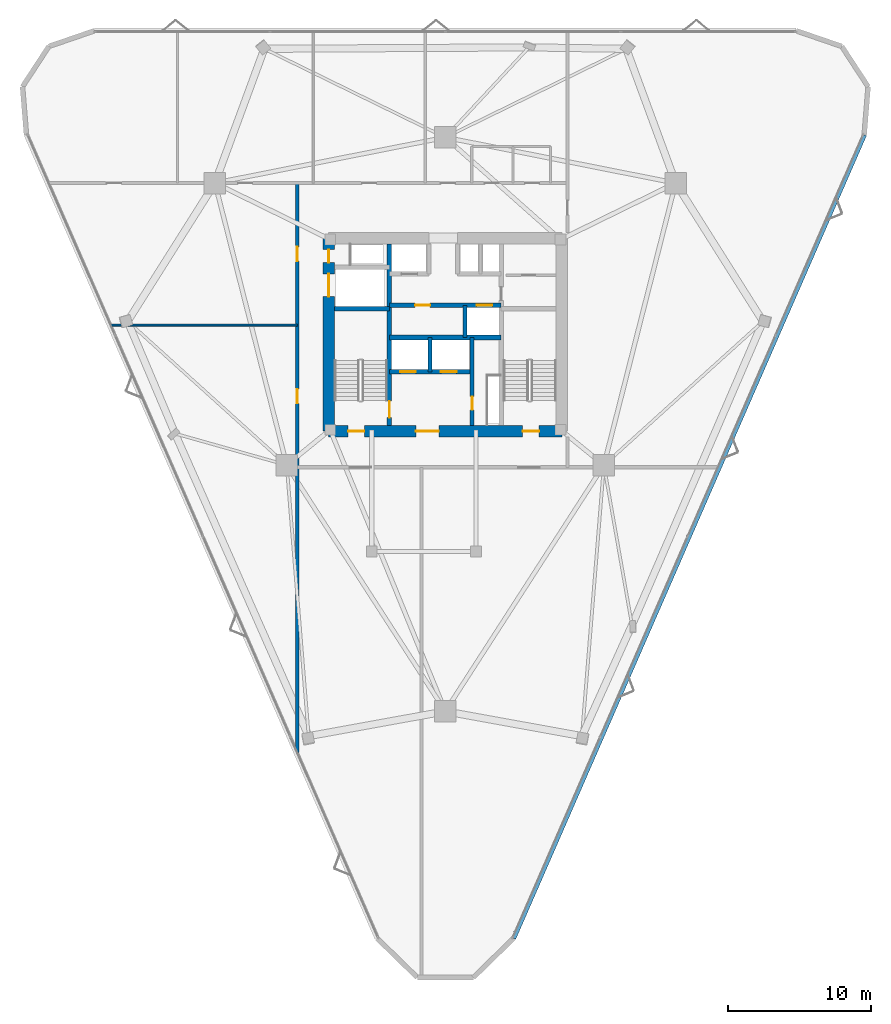
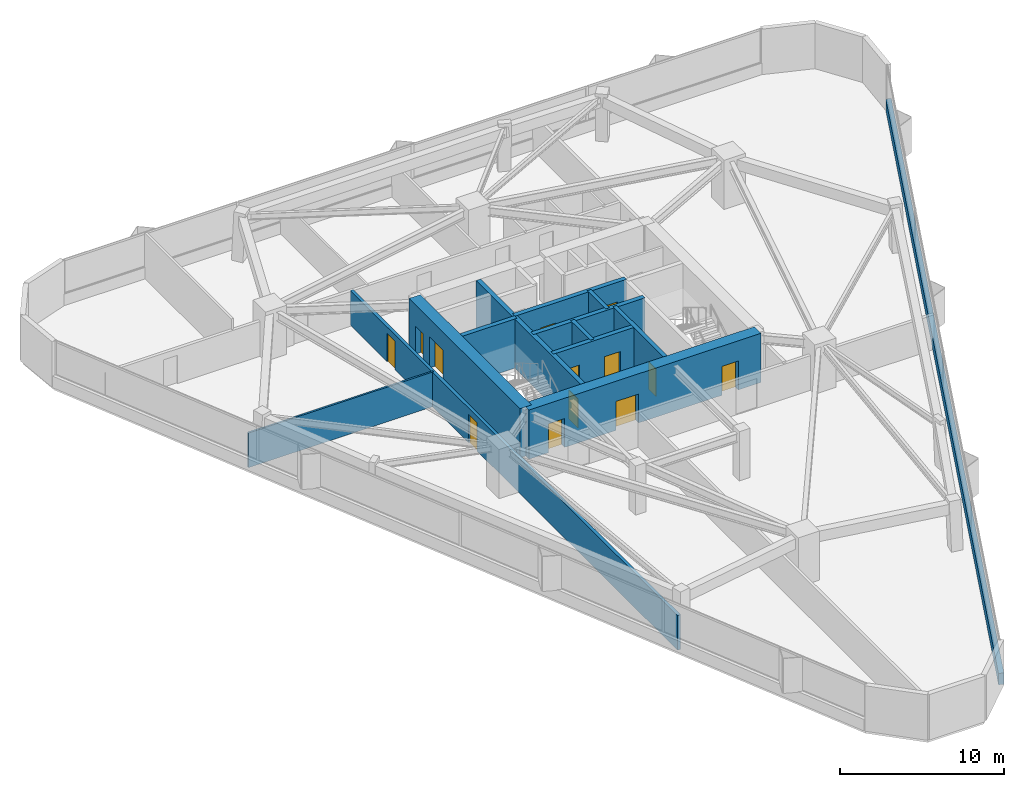
# One storey, part 12 of 15: 13 doors, 13 walls, 13 openings.
"""IFC4 building model written with IfcOpenShell, lengths in metres."""

from ifc_helpers import new_model, si_unit, direction, frame, frame_2d, origin, place, context, subcontext, project, spatial, rectangle, extrude, material, layer, layer_set, type_object, element, fill, save


model = new_model("IFC4")

# Units and contexts
model_context = context("Model", 3, precision=1e-05, world=origin(), true_north=direction((0.0, 1.0)))
body_context = subcontext(model_context, "Body", "Model", "MODEL_VIEW")
ifc_project = project(units=[si_unit("LENGTHUNIT", "METRE"), si_unit("AREAUNIT", "SQUARE_METRE"), si_unit("VOLUMEUNIT", "CUBIC_METRE"), si_unit("PLANEANGLEUNIT", "RADIAN"), si_unit("MASSUNIT", "GRAM", prefix="KILO")], contexts=[model_context])

# Site, building, storey
site_placement = place(None, origin())
site = spatial("IfcSite", under=ifc_project, at=site_placement, CompositionType="ELEMENT")
building_placement = place(site_placement, origin())
building = spatial("IfcBuilding", under=site, at=building_placement, Name="Talyreon Biosciences Tower", CompositionType="ELEMENT")
storey_placement = place(building_placement, frame((0.0, 0.0, 127.199951171875)))
storey = spatial("IfcBuildingStorey", under=building, at=storey_placement, Name="L33", CompositionType="ELEMENT", Elevation=127.199951171875)

# Wall
ifc_material_1 = material(Name="Concrete C50/60", Category="concrete")
ifc_layer_1 = layer(ifc_material_1, 0.280029296875)
ifc_layer_set_1 = layer_set([ifc_layer_1], Name="Concrete C50/60")
wall_type_1 = type_object("IfcWallType", Name="CoreShearWall_280", PredefinedType="SHEAR", material=ifc_layer_set_1)
wall_1_placement = place(storey_placement, frame((64.919921875, 65.39990234375, 0.0), z_axis=(0.0, 0.0, 1.0), x_axis=(0.0, 1.0, 0.0)))
element("IfcWall", 1, at=wall_1_placement, inside=storey, type_object=wall_type_1, Name="L33 Core Shaft Wall SWSHD1", PredefinedType="SHEAR", context=body_context, shape_type="SweptSolid", body=[
    extrude(rectangle(XDim=2.400146484375, YDim=0.280029296875, at=frame_2d((1.2001953125, 0.0))), origin(), (0.0, 0.0, 1.0), 3.650146484375),
])

# Wall, opening, door
wall_2_placement = place(storey_placement, frame((67.8798828125, 61.64990234375, 0.0), z_axis=(0.0, 0.0, 1.0), x_axis=(0.0, 1.0, 0.0)))
wall_2 = element("IfcWall", 2, at=wall_2_placement, inside=storey, type_object=wall_type_1, Name="L33 Core Shaft Wall SWFFE", PredefinedType="SHEAR", context=body_context, shape_type="SweptSolid", body=[
    extrude(rectangle(XDim=6.150146484375, YDim=0.280029296875, at=frame_2d((3.0751953125, 0.0))), origin(), (0.0, 0.0, 1.0), 3.650146484375),
])
opening_1_placement = place(wall_2_placement, frame((1.10009765625, 0.0, 0.0)))
opening_1 = element("IfcOpeningElement", 3, at=opening_1_placement, cuts=wall_2, Name="Opening DR-L33-RSE", PredefinedType="OPENING", context=body_context, shape_type="SweptSolid", body=[
    extrude(rectangle(XDim=0.919921875, YDim=2.050048828125, at=frame_2d((0.4599609375, 1.02490234375))), frame((0.0, 0.14990234375, 0.0), z_axis=(0.0, -1.0, 0.0), x_axis=(1.0, 0.0, 0.0)), (0.0, 0.0, 1.0), 0.300048828125),
])
ifc_material_2 = material(Name="Painted steel fire-rated riser door", Category="steel")
door_type_1 = type_object("IfcDoorType", Name="RiserPlantAccessDoor_920x2050", OperationType="NOTDEFINED", PredefinedType="DOOR", material=ifc_material_2)
door_1_placement = place(opening_1_placement, origin())
door_1 = element("IfcDoor", 4, at=door_1_placement, inside=storey, type_object=door_type_1, Name="L33 Core Door DR-L33-RSE", OperationType="SINGLE_SWING_RIGHT", OverallHeight=2.050048828125, OverallWidth=0.919921875, PredefinedType="DOOR", context=body_context, shape_type="SweptSolid", body=[
    extrude(rectangle(XDim=0.919921875, YDim=2.050048828125, at=frame_2d((0.4599609375, 1.02490234375))), frame((0.0, 0.02490234375, 0.0), z_axis=(0.0, -1.0, 0.0), x_axis=(1.0, 0.0, 0.0)), (0.0, 0.0, 1.0), 0.050048828125),
])
fill(opening_1, door_1)

# Wall
wall_3_placement = place(storey_placement, frame((67.3798828125, 67.800048828125, 0.0), z_axis=(0.0, 0.0, 1.0), x_axis=(0.0, 1.0, 0.0)))
element("IfcWall", 5, at=wall_3_placement, inside=storey, type_object=wall_type_1, Name="L33 Core Shaft Wall SWPMD", PredefinedType="SHEAR", context=body_context, shape_type="SweptSolid", body=[
    extrude(rectangle(XDim=2.25, YDim=0.280029296875, at=frame_2d((1.125, 0.0))), origin(), (0.0, 0.0, 1.0), 3.650146484375),
])

# Wall, opening, door
ifc_layer_2 = layer(ifc_material_1, 0.320068359375)
ifc_layer_set_2 = layer_set([ifc_layer_2], Name="Concrete C50/60")
wall_type_2 = type_object("IfcWallType", Name="CoreShearWall_320", PredefinedType="SHEAR", material=ifc_layer_set_2)
wall_4_placement = place(storey_placement, frame((62.090087890625, 61.64990234375, 0.0), z_axis=(0.0, 0.0, 1.0), x_axis=(0.0, 1.0, 0.0)))
wall_4 = element("IfcWall", 6, at=wall_4_placement, inside=storey, type_object=wall_type_2, Name="L33 Core Shaft Wall SW1E", PredefinedType="SHEAR", context=body_context, shape_type="SweptSolid", body=[
    extrude(rectangle(XDim=12.7001953125, YDim=0.320068359375, at=frame_2d((6.35009765625, 0.0))), origin(), (0.0, 0.0, 1.0), 3.650146484375),
])
opening_2_placement = place(wall_4_placement, frame((0.550048828125, 0.0, 0.0)))
opening_2 = element("IfcOpeningElement", 7, at=opening_2_placement, cuts=wall_4, Name="Opening DR-L33-FF-ST1", PredefinedType="OPENING", context=body_context, shape_type="SweptSolid", body=[
    extrude(rectangle(XDim=1.14990234375, YDim=2.14990234375, at=frame_2d((0.574951171875, 1.074951171875))), frame((0.0, 0.169921875, 0.0), z_axis=(0.0, -1.0, 0.0), x_axis=(1.0, 0.0, 0.0)), (0.0, 0.0, 1.0), 0.340087890625),
])
ifc_material_3 = material(Name="Painted steel fire door", Category="steel")
door_type_2 = type_object("IfcDoorType", Name="StairShaftFireDoor_1150x2150", OperationType="NOTDEFINED", PredefinedType="DOOR", material=ifc_material_3)
door_2_placement = place(opening_2_placement, origin())
door_2 = element("IfcDoor", 8, at=door_2_placement, inside=storey, type_object=door_type_2, Name="L33 Core Door DR-L33-FF-ST1", OperationType="SINGLE_SWING_LEFT", OverallHeight=2.14990234375, OverallWidth=1.14990234375, PredefinedType="DOOR", context=body_context, shape_type="SweptSolid", body=[
    extrude(rectangle(XDim=1.14990234375, YDim=2.14990234375, at=frame_2d((0.574951171875, 1.074951171875))), frame((0.0, 0.02490234375, 0.0), z_axis=(0.0, -1.0, 0.0), x_axis=(1.0, 0.0, 0.0)), (0.0, 0.0, 1.0), 0.050048828125),
])
fill(opening_2, door_2)

# Walls
wall_5_placement = place(storey_placement, frame((58.25, 69.81005859375, 0.0), z_axis=(0.0, 0.0, 1.0), x_axis=(1.0, 0.0, 0.0)))
element("IfcWall", 9, at=wall_5_placement, inside=storey, type_object=wall_type_2, Name="L33 Core Shaft Wall SW1N", PredefinedType="SHEAR", context=body_context, shape_type="SweptSolid", body=[
    extrude(rectangle(XDim=3.840087890625, YDim=0.320068359375, at=frame_2d((1.919921875, 0.0))), origin(), (0.0, 0.0, 1.0), 3.650146484375),
])
wall_6_placement = place(storey_placement, frame((62.090087890625, 67.800048828125, 0.0), z_axis=(0.0, 0.0, 1.0), x_axis=(1.0, 0.0, 0.0)))
element("IfcWall", 10, at=wall_6_placement, inside=storey, type_object=wall_type_2, Name="L33 Core Shaft Wall SWSHM", PredefinedType="SHEAR", context=body_context, shape_type="SweptSolid", body=[
    extrude(rectangle(XDim=7.81982421875, YDim=0.320068359375, at=frame_2d((3.909912109375, 0.0))), origin(), (0.0, 0.0, 1.0), 3.650146484375),
])

# Wall, openings, doors
wall_7_placement = place(storey_placement, frame((62.090087890625, 70.050048828125, 0.0), z_axis=(0.0, 0.0, 1.0), x_axis=(1.0, 0.0, 0.0)))
wall_7 = element("IfcWall", 11, at=wall_7_placement, inside=storey, type_object=wall_type_2, Name="L33 Core Shaft Wall SWSPN", PredefinedType="SHEAR", context=body_context, shape_type="SweptSolid", body=[
    extrude(rectangle(XDim=7.81982421875, YDim=0.320068359375, at=frame_2d((3.909912109375, 0.0))), origin(), (0.0, 0.0, 1.0), 3.650146484375),
])
opening_3_placement = place(wall_7_placement, frame((1.800048828125, 0.0, 0.0)))
opening_3 = element("IfcOpeningElement", 12, at=opening_3_placement, cuts=wall_7, Name="Opening DR-L33-PLFREE-A", PredefinedType="OPENING", context=body_context, shape_type="SweptSolid", body=[
    extrude(rectangle(XDim=1.050048828125, YDim=2.14990234375, at=frame_2d((0.52490234375, 1.074951171875))), frame((0.0, 0.169921875, 0.0), z_axis=(0.0, -1.0, 0.0), x_axis=(1.0, 0.0, 0.0)), (0.0, 0.0, 1.0), 0.340087890625),
])
opening_4_placement = place(wall_7_placement, frame((6.10009765625, 0.0, 0.0)))
opening_4 = element("IfcOpeningElement", 13, at=opening_4_placement, cuts=wall_7, Name="Opening LD-L33-PM1", PredefinedType="OPENING", context=body_context, shape_type="SweptSolid", body=[
    extrude(rectangle(XDim=1.10009765625, YDim=2.199951171875, at=frame_2d((0.550048828125, 1.10009765625))), frame((0.0, 0.169921875, 0.0), z_axis=(0.0, -1.0, 0.0), x_axis=(1.0, 0.0, 0.0)), (0.0, 0.0, 1.0), 0.340087890625),
])
ifc_material_4 = material(Name="Acoustic timber-core laboratory door", Category="wood")
door_type_3 = type_object("IfcDoorType", Name="DryLabSingleDoor_1050x2150", OperationType="NOTDEFINED", PredefinedType="DOOR", material=ifc_material_4)
door_3_placement = place(opening_3_placement, origin())
door_3 = element("IfcDoor", 14, at=door_3_placement, inside=storey, type_object=door_type_3, Name="L33 Core Door DR-L33-PLFREE-A", OperationType="SINGLE_SWING_LEFT", OverallHeight=2.14990234375, OverallWidth=1.050048828125, PredefinedType="DOOR", context=body_context, shape_type="SweptSolid", body=[
    extrude(rectangle(XDim=1.050048828125, YDim=2.14990234375, at=frame_2d((0.52490234375, 1.074951171875))), frame((0.0, 0.02490234375, 0.0), z_axis=(0.0, -1.0, 0.0), x_axis=(1.0, 0.0, 0.0)), (0.0, 0.0, 1.0), 0.050048828125),
])
fill(opening_3, door_3)
ifc_material_5 = material(Name="Brushed stainless-steel lift landing door", Category="steel")
door_type_4 = type_object("IfcDoorType", Name="LiftSlidingLandingDoor_1100x2200", OperationType="SLIDING_TO_LEFT", PredefinedType="DOOR", material=ifc_material_5)
door_4_placement = place(opening_4_placement, origin())
door_4 = element("IfcDoor", 15, at=door_4_placement, inside=storey, type_object=door_type_4, Name="L33 Core Door LD-L33-PM1", OperationType="SLIDING_TO_LEFT", OverallHeight=2.199951171875, OverallWidth=1.10009765625, PredefinedType="DOOR", context=body_context, shape_type="SweptSolid", body=[
    extrude(rectangle(XDim=1.10009765625, YDim=2.199951171875, at=frame_2d((0.550048828125, 1.10009765625))), frame((0.0, 0.02490234375, 0.0), z_axis=(0.0, -1.0, 0.0), x_axis=(1.0, 0.0, 0.0)), (0.0, 0.0, 1.0), 0.050048828125),
])
fill(opening_4, door_4)

wall_8_placement = place(storey_placement, frame((62.090087890625, 65.39990234375, 0.0), z_axis=(0.0, 0.0, 1.0), x_axis=(1.0, 0.0, 0.0)))
wall_8 = element("IfcWall", 16, at=wall_8_placement, inside=storey, type_object=wall_type_2, Name="L33 Core Shaft Wall SWFFN", PredefinedType="SHEAR", context=body_context, shape_type="SweptSolid", body=[
    extrude(rectangle(XDim=5.789794921875, YDim=0.320068359375, at=frame_2d((2.89501953125, 0.0))), origin(), (0.0, 0.0, 1.0), 3.650146484375),
])
opening_5_placement = place(wall_8_placement, frame((0.75, 0.0, 0.0)))
opening_5 = element("IfcOpeningElement", 17, at=opening_5_placement, cuts=wall_8, Name="Opening LD-L33-FL1", PredefinedType="OPENING", context=body_context, shape_type="SweptSolid", body=[
    extrude(rectangle(XDim=1.10009765625, YDim=2.199951171875, at=frame_2d((0.550048828125, 1.10009765625))), frame((0.0, 0.169921875, 0.0), z_axis=(0.0, -1.0, 0.0), x_axis=(1.0, 0.0, 0.0)), (0.0, 0.0, 1.0), 0.340087890625),
])
opening_6_placement = place(wall_8_placement, frame((3.60009765625, 0.0, 0.0)))
opening_6 = element("IfcOpeningElement", 18, at=opening_6_placement, cuts=wall_8, Name="Opening LD-L33-FL2", PredefinedType="OPENING", context=body_context, shape_type="SweptSolid", body=[
    extrude(rectangle(XDim=1.10009765625, YDim=2.199951171875, at=frame_2d((0.550048828125, 1.10009765625))), frame((0.0, 0.169921875, 0.0), z_axis=(0.0, -1.0, 0.0), x_axis=(1.0, 0.0, 0.0)), (0.0, 0.0, 1.0), 0.340087890625),
])
door_5_placement = place(opening_5_placement, origin())
door_5 = element("IfcDoor", 19, at=door_5_placement, inside=storey, type_object=door_type_4, Name="L33 Core Door LD-L33-FL1", OperationType="SLIDING_TO_LEFT", OverallHeight=2.199951171875, OverallWidth=1.10009765625, PredefinedType="DOOR", context=body_context, shape_type="SweptSolid", body=[
    extrude(rectangle(XDim=1.10009765625, YDim=2.199951171875, at=frame_2d((0.550048828125, 1.10009765625))), frame((0.0, 0.02490234375, 0.0), z_axis=(0.0, -1.0, 0.0), x_axis=(1.0, 0.0, 0.0)), (0.0, 0.0, 1.0), 0.050048828125),
])
fill(opening_5, door_5)
door_6_placement = place(opening_6_placement, origin())
door_6 = element("IfcDoor", 20, at=door_6_placement, inside=storey, type_object=door_type_4, Name="L33 Core Door LD-L33-FL2", OperationType="SLIDING_TO_LEFT", OverallHeight=2.199951171875, OverallWidth=1.10009765625, PredefinedType="DOOR", context=body_context, shape_type="SweptSolid", body=[
    extrude(rectangle(XDim=1.10009765625, YDim=2.199951171875, at=frame_2d((0.550048828125, 1.10009765625))), frame((0.0, 0.02490234375, 0.0), z_axis=(0.0, -1.0, 0.0), x_axis=(1.0, 0.0, 0.0)), (0.0, 0.0, 1.0), 0.050048828125),
])
fill(opening_6, door_6)

ifc_material_6 = material(Name="Concrete C60/75", Category="concrete")
ifc_layer_3 = layer(ifc_material_6, 0.800048828125)
ifc_layer_set_3 = layer_set([ifc_layer_3], Name="Concrete C60/75")
wall_type_3 = type_object("IfcWallType", Name="CoreShearWall_800", PredefinedType="SHEAR", material=ifc_layer_set_3)
wall_9_placement = place(storey_placement, frame((57.85009765625, 61.25, 0.0), z_axis=(0.0, 0.0, 1.0), x_axis=(1.0, 0.0, 0.0)))
wall_9 = element("IfcWall", 21, at=wall_9_placement, inside=storey, type_object=wall_type_3, Name="L33 Core Shear Wall S", PredefinedType="SHEAR", context=body_context, shape_type="SweptSolid", body=[
    extrude(rectangle(XDim=16.2998046875, YDim=0.800048828125, at=frame_2d((8.14990234375, 0.0))), origin(), (0.0, 0.0, 1.0), 3.650146484375),
])
opening_7_placement = place(wall_9_placement, frame((1.35009765625, 0.0, 0.0)))
opening_7 = element("IfcOpeningElement", 22, at=opening_7_placement, cuts=wall_9, Name="Opening DR-L33-ST1", PredefinedType="OPENING", context=body_context, shape_type="SweptSolid", body=[
    extrude(rectangle(XDim=1.14990234375, YDim=2.14990234375, at=frame_2d((0.574951171875, 1.074951171875))), frame((0.0, 0.409912109375, 0.0), z_axis=(0.0, -1.0, 0.0), x_axis=(1.0, 0.0, 0.0)), (0.0, 0.0, 1.0), 0.820068359375),
])
opening_8_placement = place(wall_9_placement, frame((6.10009765625, 0.0, 0.0)))
opening_8 = element("IfcOpeningElement", 23, at=opening_8_placement, cuts=wall_9, Name="Opening DR-L33-FFL", PredefinedType="OPENING", context=body_context, shape_type="SweptSolid", body=[
    extrude(rectangle(XDim=1.60009765625, YDim=2.14990234375, at=frame_2d((0.800048828125, 1.074951171875))), frame((0.0, 0.409912109375, 0.0), z_axis=(0.0, -1.0, 0.0), x_axis=(1.0, 0.0, 0.0)), (0.0, 0.0, 1.0), 0.820068359375),
])
opening_9_placement = place(wall_9_placement, frame((13.550048828125, 0.0, 0.0)))
opening_9 = element("IfcOpeningElement", 24, at=opening_9_placement, cuts=wall_9, Name="Opening DR-L33-ST2", PredefinedType="OPENING", context=body_context, shape_type="SweptSolid", body=[
    extrude(rectangle(XDim=1.14990234375, YDim=2.14990234375, at=frame_2d((0.574951171875, 1.074951171875))), frame((0.0, 0.409912109375, 0.0), z_axis=(0.0, -1.0, 0.0), x_axis=(1.0, 0.0, 0.0)), (0.0, 0.0, 1.0), 0.820068359375),
])
ifc_material_7 = material(Name="Painted steel smoke-seal fire door", Category="steel")
door_type_5 = type_object("IfcDoorType", Name="FirefightingLobbyDoubleDoor_1600x2150", OperationType="DOUBLE_DOOR_SINGLE_SWING", PredefinedType="DOOR", material=ifc_material_7)
door_7_placement = place(opening_8_placement, origin())
door_7 = element("IfcDoor", 25, at=door_7_placement, inside=storey, type_object=door_type_5, Name="L33 Core Door DR-L33-FFL", OperationType="DOUBLE_DOOR_SINGLE_SWING", OverallHeight=2.14990234375, OverallWidth=1.60009765625, PredefinedType="DOOR", context=body_context, shape_type="SweptSolid", body=[
    extrude(rectangle(XDim=1.60009765625, YDim=2.14990234375, at=frame_2d((0.800048828125, 1.074951171875))), frame((0.0, 0.02490234375, 0.0), z_axis=(0.0, -1.0, 0.0), x_axis=(1.0, 0.0, 0.0)), (0.0, 0.0, 1.0), 0.050048828125),
])
fill(opening_8, door_7)
door_8_placement = place(opening_7_placement, origin())
door_8 = element("IfcDoor", 26, at=door_8_placement, inside=storey, type_object=door_type_2, Name="L33 Core Door DR-L33-ST1", OperationType="SINGLE_SWING_LEFT", OverallHeight=2.14990234375, OverallWidth=1.14990234375, PredefinedType="DOOR", context=body_context, shape_type="SweptSolid", body=[
    extrude(rectangle(XDim=1.14990234375, YDim=2.14990234375, at=frame_2d((0.574951171875, 1.074951171875))), frame((0.0, 0.02490234375, 0.0), z_axis=(0.0, -1.0, 0.0), x_axis=(1.0, 0.0, 0.0)), (0.0, 0.0, 1.0), 0.050048828125),
])
fill(opening_7, door_8)
door_9_placement = place(opening_9_placement, origin())
door_9 = element("IfcDoor", 27, at=door_9_placement, inside=storey, type_object=door_type_2, Name="L33 Core Door DR-L33-ST2", OperationType="SINGLE_SWING_RIGHT", OverallHeight=2.14990234375, OverallWidth=1.14990234375, PredefinedType="DOOR", context=body_context, shape_type="SweptSolid", body=[
    extrude(rectangle(XDim=1.14990234375, YDim=2.14990234375, at=frame_2d((0.574951171875, 1.074951171875))), frame((0.0, 0.02490234375, 0.0), z_axis=(0.0, -1.0, 0.0), x_axis=(1.0, 0.0, 0.0)), (0.0, 0.0, 1.0), 0.050048828125),
])
fill(opening_9, door_9)

wall_10_placement = place(storey_placement, frame((57.85009765625, 74.75, 0.0), z_axis=(0.0, 0.0, 1.0), x_axis=(0.0, -1.0, 0.0)))
wall_10 = element("IfcWall", 28, at=wall_10_placement, inside=storey, type_object=wall_type_3, Name="L33 Core Shear Wall W", PredefinedType="SHEAR", context=body_context, shape_type="SweptSolid", body=[
    extrude(rectangle(XDim=13.5, YDim=0.800048828125, at=frame_2d((6.75, 0.0))), origin(), (0.0, 0.0, 1.0), 3.650146484375),
])
opening_10_placement = place(wall_10_placement, frame((0.800048828125, 0.0, 0.0)))
opening_10 = element("IfcOpeningElement", 29, at=opening_10_placement, cuts=wall_10, Name="Opening DR-L33-RSW", PredefinedType="OPENING", context=body_context, shape_type="SweptSolid", body=[
    extrude(rectangle(XDim=0.919921875, YDim=2.050048828125, at=frame_2d((0.4599609375, 1.02490234375))), frame((0.0, 0.409912109375, 0.0), z_axis=(0.0, -1.0, 0.0), x_axis=(1.0, 0.0, 0.0)), (0.0, 0.0, 1.0), 0.820068359375),
])
opening_11_placement = place(wall_10_placement, frame((2.5, 0.0, 0.0)))
opening_11 = element("IfcOpeningElement", 30, at=opening_11_placement, cuts=wall_10, Name="Opening LD-L33-GL1", PredefinedType="OPENING", context=body_context, shape_type="SweptSolid", body=[
    extrude(rectangle(XDim=1.60009765625, YDim=2.300048828125, at=frame_2d((0.800048828125, 1.14990234375))), frame((0.0, 0.409912109375, 0.0), z_axis=(0.0, -1.0, 0.0), x_axis=(1.0, 0.0, 0.0)), (0.0, 0.0, 1.0), 0.820068359375),
])
ifc_material_8 = material(Name="Heavy-duty stainless-steel goods lift door", Category="steel")
door_type_6 = type_object("IfcDoorType", Name="GoodsLiftSlidingDoor_1600x2300", OperationType="DOUBLE_DOOR_SLIDING", PredefinedType="DOOR", material=ifc_material_8)
door_10_placement = place(opening_11_placement, origin())
door_10 = element("IfcDoor", 31, at=door_10_placement, inside=storey, type_object=door_type_6, Name="L33 Core Door LD-L33-GL1", OperationType="DOUBLE_DOOR_SLIDING", OverallHeight=2.300048828125, OverallWidth=1.60009765625, PredefinedType="DOOR", context=body_context, shape_type="SweptSolid", body=[
    extrude(rectangle(XDim=1.60009765625, YDim=2.300048828125, at=frame_2d((0.800048828125, 1.14990234375))), frame((0.0, 0.02490234375, 0.0), z_axis=(0.0, -1.0, 0.0), x_axis=(1.0, 0.0, 0.0)), (0.0, 0.0, 1.0), 0.050048828125),
])
fill(opening_11, door_10)
door_11_placement = place(opening_10_placement, origin())
door_11 = element("IfcDoor", 32, at=door_11_placement, inside=storey, type_object=door_type_1, Name="L33 Core Door DR-L33-RSW", OperationType="SINGLE_SWING_LEFT", OverallHeight=2.050048828125, OverallWidth=0.919921875, PredefinedType="DOOR", context=body_context, shape_type="SweptSolid", body=[
    extrude(rectangle(XDim=0.919921875, YDim=2.050048828125, at=frame_2d((0.4599609375, 1.02490234375))), frame((0.0, 0.02490234375, 0.0), z_axis=(0.0, -1.0, 0.0), x_axis=(1.0, 0.0, 0.0)), (0.0, 0.0, 1.0), 0.050048828125),
])
fill(opening_10, door_11)

ifc_material_9 = material(Name="Gypsum fireboard acoustic stud", Category="gypsum")
ifc_layer_4 = layer(ifc_material_9, 0.219970703125)
ifc_layer_set_4 = layer_set([ifc_layer_4], Name="Gypsum fireboard acoustic stud")
wall_type_4 = type_object("IfcWallType", Name="CorridorRatedPartition_220", PredefinedType="PARTITIONING", material=ifc_layer_set_4)
wall_11_placement = place(storey_placement, frame((55.64990234375, 38.798583984375, 0.0), z_axis=(0.0, 0.0, 1.0), x_axis=(0.0, 1.0, 0.0)))
wall_11 = element("IfcWall", 33, at=wall_11_placement, inside=storey, type_object=wall_type_4, Name="L33 Interior Wall IW-L33-COR-W", PredefinedType="PARTITIONING", context=body_context, shape_type="SweptSolid", body=[
    extrude(rectangle(XDim=39.801513671875, YDim=0.219970703125, at=frame_2d((19.90087890625, 0.0))), origin(), (0.0, 0.0, 1.0), 2.574951171875),
])
opening_12_placement = place(wall_11_placement, frame((24.39892578125, 0.0, 0.0)))
opening_12 = element("IfcOpeningElement", 34, at=opening_12_placement, cuts=wall_11, Name="Opening DR-L33-W1A", PredefinedType="OPENING", context=body_context, shape_type="SweptSolid", body=[
    extrude(rectangle(XDim=1.0, YDim=2.10009765625, at=frame_2d((0.5, 1.050048828125))), frame((0.0, 0.119873046875, 0.0), z_axis=(0.0, -1.0, 0.0), x_axis=(1.0, 0.0, 0.0)), (0.0, 0.0, 1.0), 0.239990234375),
])
opening_13_placement = place(wall_11_placement, frame((34.333984375, 0.0, 0.0)))
opening_13 = element("IfcOpeningElement", 35, at=opening_13_placement, cuts=wall_11, Name="Opening DR-L33-W2A", PredefinedType="OPENING", context=body_context, shape_type="SweptSolid", body=[
    extrude(rectangle(XDim=1.0, YDim=2.10009765625, at=frame_2d((0.5, 1.050048828125))), frame((0.0, 0.119873046875, 0.0), z_axis=(0.0, -1.0, 0.0), x_axis=(1.0, 0.0, 0.0)), (0.0, 0.0, 1.0), 0.239990234375),
])
ifc_material_10 = material(Name="Acoustic oak veneer office door", Category="wood")
door_type_7 = type_object("IfcDoorType", Name="WriteupOfficeDoor_1000x2100", OperationType="NOTDEFINED", PredefinedType="DOOR", material=ifc_material_10)
door_12_placement = place(opening_12_placement, origin())
door_12 = element("IfcDoor", 36, at=door_12_placement, inside=storey, type_object=door_type_7, Name="L33 Interior Door DR-L33-W1A", OperationType="SINGLE_SWING_LEFT", OverallHeight=2.10009765625, OverallWidth=1.0, PredefinedType="DOOR", context=body_context, shape_type="SweptSolid", body=[
    extrude(rectangle(XDim=1.0, YDim=2.10009765625, at=frame_2d((0.5, 1.050048828125))), frame((0.0, 0.02490234375, 0.0), z_axis=(0.0, -1.0, 0.0), x_axis=(1.0, 0.0, 0.0)), (0.0, 0.0, 1.0), 0.050048828125),
])
fill(opening_12, door_12)
door_13_placement = place(opening_13_placement, origin())
door_13 = element("IfcDoor", 37, at=door_13_placement, inside=storey, type_object=door_type_7, Name="L33 Interior Door DR-L33-W2A", OperationType="SINGLE_SWING_RIGHT", OverallHeight=2.10009765625, OverallWidth=1.0, PredefinedType="DOOR", context=body_context, shape_type="SweptSolid", body=[
    extrude(rectangle(XDim=1.0, YDim=2.10009765625, at=frame_2d((0.5, 1.050048828125))), frame((0.0, 0.02490234375, 0.0), z_axis=(0.0, -1.0, 0.0), x_axis=(1.0, 0.0, 0.0)), (0.0, 0.0, 1.0), 0.050048828125),
])
fill(opening_13, door_13)

# Walls
ifc_material_11 = material(Name="Gypsum acoustic stud partition", Category="gypsum")
ifc_layer_5 = layer(ifc_material_11, 0.1298828125)
ifc_layer_set_5 = layer_set([ifc_layer_5], Name="Gypsum acoustic stud partition")
wall_type_5 = type_object("IfcWallType", Name="OfficeWriteupPartition_130", PredefinedType="PARTITIONING", material=ifc_layer_set_5)
wall_12_placement = place(storey_placement, frame((42.61279296875, 68.6650390625, 0.0), z_axis=(0.0, 0.0, 1.0), x_axis=(1.0, 0.0, 0.0)))
element("IfcWall", 38, at=wall_12_placement, inside=storey, type_object=wall_type_5, Name="L33 Interior Wall IW-L33-WDIV1", PredefinedType="PARTITIONING", context=body_context, shape_type="SweptSolid", body=[
    extrude(rectangle(XDim=13.037109375, YDim=0.1298828125, at=frame_2d((6.5185546875, 0.0))), origin(), (0.0, 0.0, 1.0), 2.574951171875),
])
ifc_material_12 = material(Name="Precast concrete C45/55", Category="concrete")
ifc_layer_6 = layer(ifc_material_12, 0.340087890625)
ifc_layer_set_6 = layer_set([ifc_layer_6], Name="Precast concrete C45/55")
wall_type_6 = type_object("IfcWallType", Name="PrecastConcreteSpandrelWall_340", PredefinedType="STANDARD", material=ifc_layer_set_6)
wall_13_placement = place(storey_placement, frame((95.288818359375, 81.97265625, 0.0), z_axis=(0.0, 0.0, 1.0), x_axis=(-0.400059849946, -0.916489016007, 0.0)))
element("IfcWall", 39, at=wall_13_placement, inside=storey, type_object=wall_type_6, Name="L33 Expressed Concrete Sill Wall 08", PredefinedType="STANDARD", context=body_context, shape_type="SweptSolid", body=[
    extrude(rectangle(XDim=61.298828125, YDim=0.340087890625, at=frame_2d((30.6494140625, 0.0))), origin(), (0.0, 0.0, 1.0), 0.85009765625),
])

save(model, "model.ifc")
